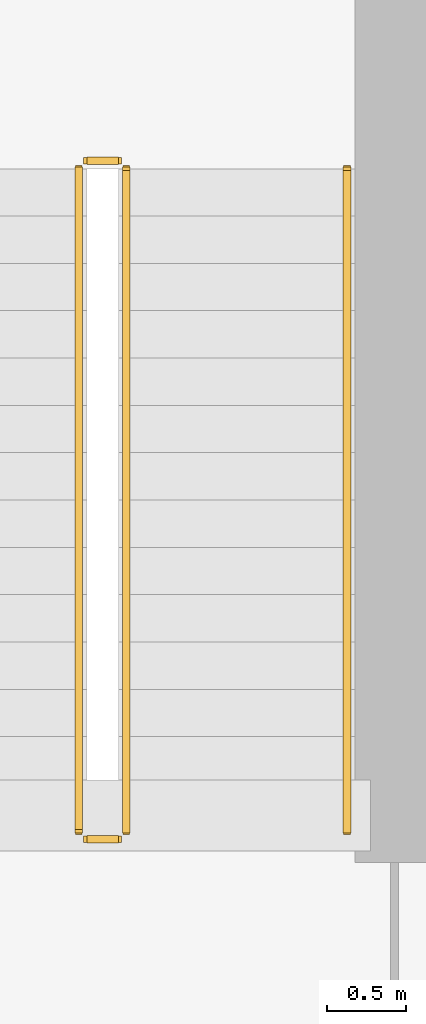
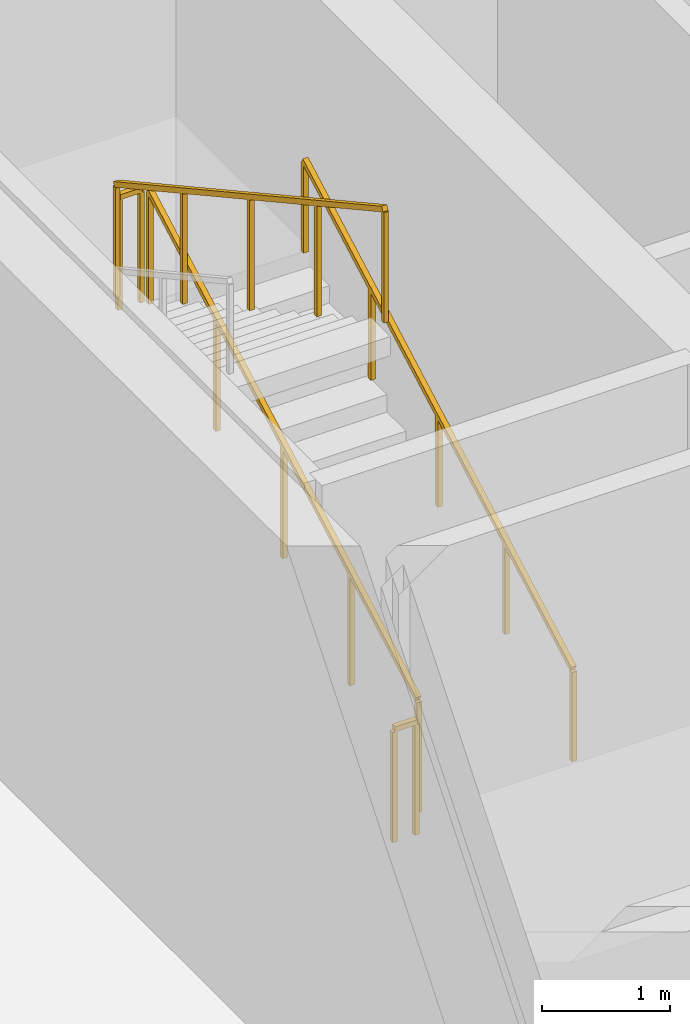
# One storey, part 18 of 21: 5 railings.
"""IFC4 building model written with IfcOpenShell, lengths in metres."""

from ifc_helpers import new_model, si_unit, direction, frame, origin, place, context, subcontext, project, spatial, rectangle, extrude, material, type_object, element, save


model = new_model("IFC4")

# Units and contexts
model_context = context("Model", 3, precision=1e-05, world=origin(), true_north=direction((0.0, 1.0)))
body_context = subcontext(model_context, "Body", "Model", "MODEL_VIEW")
ifc_project = project(units=[si_unit("LENGTHUNIT", "METRE"), si_unit("AREAUNIT", "SQUARE_METRE"), si_unit("VOLUMEUNIT", "CUBIC_METRE"), si_unit("PLANEANGLEUNIT", "RADIAN"), si_unit("MASSUNIT", "GRAM", prefix="KILO")], contexts=[model_context])

# Site, building, storey
site_placement = place(None, origin())
site = spatial("IfcSite", under=ifc_project, at=site_placement, CompositionType="ELEMENT")
building_placement = place(site_placement, origin())
building = spatial("IfcBuilding", under=site, at=building_placement, Name="Tanjung Sevakor Pilgrim Tower", CompositionType="ELEMENT")
storey_placement = place(building_placement, frame((0.0, 0.0, 123.090087890625)))
storey = spatial("IfcBuildingStorey", under=building, at=storey_placement, Name="L34", CompositionType="ELEMENT", Elevation=123.090087890625)

# Railings
ifc_material_1 = material(Name="Steel S355J2", Category="steel")
railing_type_1 = type_object("IfcRailingType", Name="RL-STAIR-GUARD", PredefinedType="GUARDRAIL", material=ifc_material_1)
railing_1_placement = place(storey_placement, frame((26.25, 35.800048828125, 0.164794921875)))
element("IfcRailing", 1, at=railing_1_placement, inside=storey, type_object=railing_type_1, Name="L34 TS-W2 stair guard 1", PredefinedType="GUARDRAIL", context=body_context, shape_type="SweptSolid", body=[
    extrude(rectangle(XDim=0.0479, YDim=0.0479), frame((0.0, 0.0, 1.076171875), z_axis=(0.0, 0.876208380975, 0.481932436249), x_axis=(-1.0, 0.0, 0.0)), (0.0, 0.0, 1.0), 4.793212890625),
    extrude(rectangle(XDim=0.042, YDim=0.042), origin(), (0.0, 0.0, 1.0), 1.052001953125),
    extrude(rectangle(XDim=0.042, YDim=0.042), frame((0.0, 1.050048828125, 0.57763671875)), (0.0, 0.0, 1.0), 1.052001953125),
    extrude(rectangle(XDim=0.042, YDim=0.042), frame((0.0, 2.10009765625, 1.155029296875)), (0.0, 0.0, 1.0), 1.052001953125),
    extrude(rectangle(XDim=0.042, YDim=0.042), frame((0.0, 3.14990234375, 1.732421875)), (0.0, 0.0, 1.0), 1.052001953125),
    extrude(rectangle(XDim=0.042, YDim=0.042), frame((0.0, 4.199951171875, 2.31005859375)), (0.0, 0.0, 1.0), 1.052001953125),
])
railing_2_placement = place(storey_placement, frame((26.199951171875, 40.050048828125, 2.474853515625)))
element("IfcRailing", 2, at=railing_2_placement, inside=storey, type_object=railing_type_1, Name="L34 TS-W2 stair guard 2", PredefinedType="GUARDRAIL", context=body_context, shape_type="SweptSolid", body=[
    extrude(rectangle(XDim=0.0479, YDim=0.0479), frame((0.0, 0.0, 1.076171875), z_axis=(-1.0, 0.0, 0.0), x_axis=(0.0, -1.0, 0.0)), (0.0, 0.0, 1.0), 0.199951171875),
    extrude(rectangle(XDim=0.042, YDim=0.042), origin(), (0.0, 0.0, 1.0), 1.052001953125),
    extrude(rectangle(XDim=0.042, YDim=0.042), frame((-0.199951171875, 0.0, 0.0)), (0.0, 0.0, 1.0), 1.052001953125),
])
railing_3_placement = place(storey_placement, frame((25.949951171875, 40.0, 2.639892578125)))
element("IfcRailing", 3, at=railing_3_placement, inside=storey, type_object=railing_type_1, Name="L34 TS-W2 stair guard 3", PredefinedType="GUARDRAIL", context=body_context, shape_type="SweptSolid", body=[
    extrude(rectangle(XDim=0.0479, YDim=0.0479), frame((0.0, 0.0, 1.076171875), z_axis=(0.0, -0.876208380975, 0.481932436249), x_axis=(1.0, 0.0, 0.0)), (0.0, 0.0, 1.0), 4.793212890625),
    extrude(rectangle(XDim=0.042, YDim=0.042), origin(), (0.0, 0.0, 1.0), 1.052001953125),
    extrude(rectangle(XDim=0.042, YDim=0.042), frame((0.0, -1.050048828125, 0.57763671875)), (0.0, 0.0, 1.0), 1.052001953125),
    extrude(rectangle(XDim=0.042, YDim=0.042), frame((0.0, -2.10009765625, 1.155029296875)), (0.0, 0.0, 1.0), 1.052001953125),
    extrude(rectangle(XDim=0.042, YDim=0.042), frame((0.0, -3.14990234375, 1.732421875)), (0.0, 0.0, 1.0), 1.052001953125),
    extrude(rectangle(XDim=0.042, YDim=0.042), frame((0.0, -4.199951171875, 2.31005859375)), (0.0, 0.0, 1.0), 1.052001953125),
])
railing_4_placement = place(storey_placement, frame((26.199951171875, 35.75, 0.0)))
element("IfcRailing", 4, at=railing_4_placement, inside=storey, type_object=railing_type_1, Name="L34 TS-W2 stair guard 4", PredefinedType="GUARDRAIL", context=body_context, shape_type="SweptSolid", body=[
    extrude(rectangle(XDim=0.0479, YDim=0.0479), frame((0.0, 0.0, 1.076171875), z_axis=(-1.0, 0.0, 0.0), x_axis=(0.0, -1.0, 0.0)), (0.0, 0.0, 1.0), 0.199951171875),
    extrude(rectangle(XDim=0.042, YDim=0.042), origin(), (0.0, 0.0, 1.0), 1.052001953125),
    extrude(rectangle(XDim=0.042, YDim=0.042), frame((-0.199951171875, 0.0, 0.0)), (0.0, 0.0, 1.0), 1.052001953125),
])
ifc_material_2 = material(Name="Steel S355J2", Category="steel")
railing_type_2 = type_object("IfcRailingType", Name="RL-STAIR-HAND", PredefinedType="HANDRAIL", material=ifc_material_2)
railing_5_placement = place(storey_placement, frame((27.64990234375, 35.800048828125, 0.164794921875)))
element("IfcRailing", 5, at=railing_5_placement, inside=storey, type_object=railing_type_2, Name="L34 TS-W2 stair handrail 1", PredefinedType="HANDRAIL", context=body_context, shape_type="SweptSolid", body=[
    extrude(rectangle(XDim=0.0479, YDim=0.0479), frame((0.0, 0.0, 0.8759765625), z_axis=(0.0, 0.876208380975, 0.481932436249), x_axis=(-1.0, 0.0, 0.0)), (0.0, 0.0, 1.0), 4.793212890625),
    extrude(rectangle(XDim=0.042, YDim=0.042), origin(), (0.0, 0.0, 1.0), 0.851806640625),
    extrude(rectangle(XDim=0.042, YDim=0.042), frame((0.0, 1.050048828125, 0.57763671875)), (0.0, 0.0, 1.0), 0.851806640625),
    extrude(rectangle(XDim=0.042, YDim=0.042), frame((0.0, 2.10009765625, 1.155029296875)), (0.0, 0.0, 1.0), 0.851806640625),
    extrude(rectangle(XDim=0.042, YDim=0.042), frame((0.0, 3.14990234375, 1.732421875)), (0.0, 0.0, 1.0), 0.851806640625),
    extrude(rectangle(XDim=0.042, YDim=0.042), frame((0.0, 4.199951171875, 2.31005859375)), (0.0, 0.0, 1.0), 0.851806640625),
])

save(model, "model.ifc")
